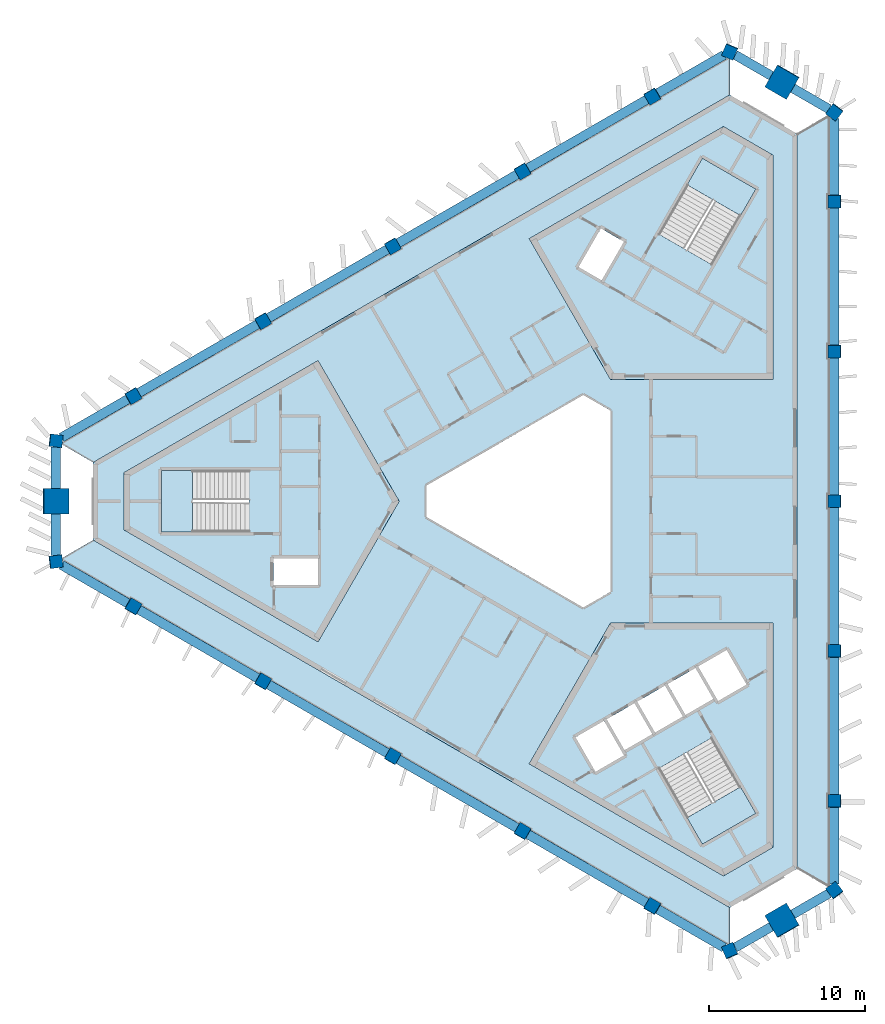
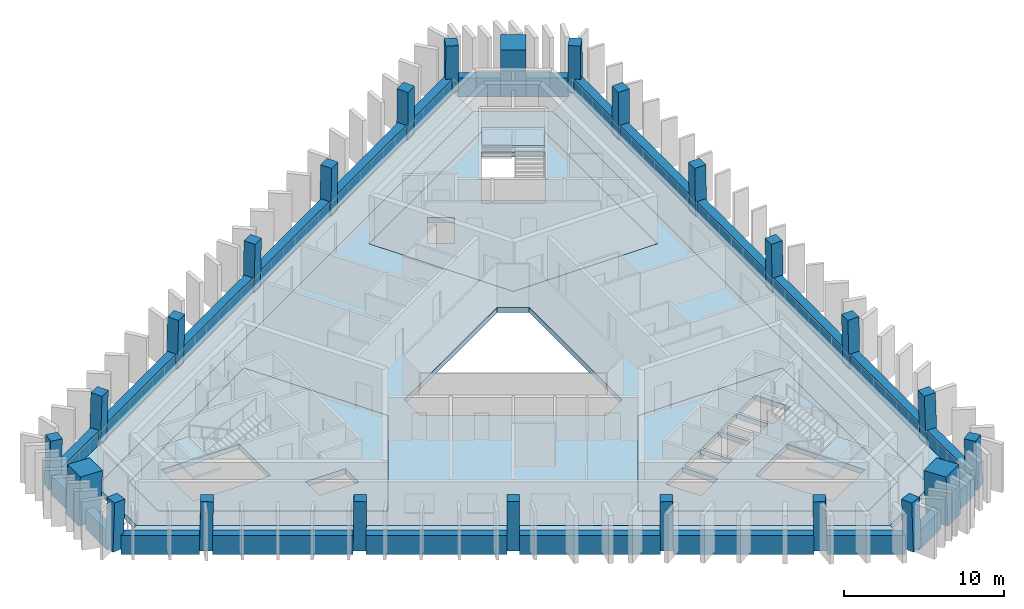
# One storey, part 1 of 9: 24 beams, 24 columns, 10 slabs, 3 elements without a shape of their own.
"""IFC4 building model written with IfcOpenShell, lengths in metres."""

from ifc_helpers import new_model, si_unit, direction, frame, origin, origin_2d, place, context, subcontext, project, spatial, polyline, rectangle, outline, extrude, material, layer, layer_set, material_profile, profile_set, type_object, element, aggregate, save


model = new_model("IFC4")

# Units and contexts
model_context = context("Model", 3, precision=1e-05, world=origin(), true_north=direction((0.0, 1.0)))
body_context = subcontext(model_context, "Body", "Model", "MODEL_VIEW")
ifc_project = project(units=[si_unit("LENGTHUNIT", "METRE"), si_unit("AREAUNIT", "SQUARE_METRE"), si_unit("VOLUMEUNIT", "CUBIC_METRE"), si_unit("PLANEANGLEUNIT", "RADIAN"), si_unit("MASSUNIT", "GRAM", prefix="KILO")], contexts=[model_context])

# Site, building, storey
site_placement = place(None, origin())
site = spatial("IfcSite", under=ifc_project, at=site_placement, CompositionType="ELEMENT")
building_placement = place(site_placement, origin())
building = spatial("IfcBuilding", under=site, at=building_placement, Name="Jabali Bay Hotel Tower and Convention Centre", CompositionType="ELEMENT")
storey_placement = place(building_placement, frame((0.0, 0.0, 288.60009765625)))
storey = spatial("IfcBuildingStorey", under=building, at=storey_placement, Name="L71", CompositionType="ELEMENT", Elevation=288.60009765625)

# Columns
ifc_material_1 = material(Name="Concrete C60", Category="concrete")
ifc_material_profile_1 = material_profile(ifc_material_1, rectangle(XDim=0.800048828125, YDim=0.800048828125, at=origin_2d()), Name="Frame column 800")
ifc_profile_set_1 = profile_set([ifc_material_profile_1], Name="Concrete C60")
column_type_1 = type_object("IfcColumnType", Name="Frame column 800", PredefinedType="COLUMN", material=ifc_profile_set_1)
column_1_placement = place(storey_placement, frame((82.18212890625, 105.888671875, 0.0), z_axis=(-0.008376454378, -0.028163354484, 0.999568237028), x_axis=(0.86585218107, 0.499844611273, 0.021339285781)))
element("IfcColumn", 1, at=column_1_placement, inside=storey, type_object=column_type_1, Name="FC6 F1.1 L71", PredefinedType="COLUMN", context=body_context, shape_type="SweptSolid", body=[
    extrude(rectangle(XDim=0.800048828125, YDim=0.800048828125, at=origin_2d()), origin(), (0.0, 0.0, 1.0), 3.70166015625),
])
column_2_placement = place(storey_placement, frame((73.8837890625, 101.09765625, 0.0), z_axis=(0.000857578916, -0.022824792675, 0.999739112668), x_axis=(0.866060219769, 0.499825848733, 0.01066848966)))
element("IfcColumn", 2, at=column_2_placement, inside=storey, type_object=column_type_1, Name="FC6 F1.2 L71", PredefinedType="COLUMN", context=body_context, shape_type="SweptSolid", body=[
    extrude(rectangle(XDim=0.800048828125, YDim=0.800048828125, at=origin_2d()), origin(), (0.0, 0.0, 1.0), 3.700927734375),
])
column_3_placement = place(storey_placement, frame((65.58544921875, 96.306396484375, 0.0), z_axis=(0.010093620709, -0.017482414954, 0.999796221231), x_axis=(0.86601685016, 0.500014815019, 2.20911e-07)))
element("IfcColumn", 3, at=column_3_placement, inside=storey, type_object=column_type_1, Name="FC6 F1.3 L71", PredefinedType="COLUMN", context=body_context, shape_type="SweptSolid", body=[
    extrude(rectangle(XDim=0.800048828125, YDim=0.800048828125, at=origin_2d()), origin(), (0.0, 0.0, 1.0), 3.70068359375),
])
column_4_placement = place(storey_placement, frame((57.287109375, 91.515380859375, 0.0), z_axis=(0.019328516974, -0.012138044789, 0.999739504221), x_axis=(-0.500205614953, 0.865671455024, 0.020181048691)))
element("IfcColumn", 4, at=column_4_placement, inside=storey, type_object=column_type_1, Name="FC6 F1.4 L71", PredefinedType="COLUMN", context=body_context, shape_type="SweptSolid", body=[
    extrude(rectangle(XDim=0.800048828125, YDim=0.800048828125, at=origin_2d()), origin(), (0.0, 0.0, 1.0), 3.700927734375),
])
for number, where, z_axis, x_axis, name in (
    (5, (48.988525390625, 86.724365234375, 0.0), (0.02855911485, -0.006793507689, 0.999569019734), (-0.500407643461, 0.865554709988, 0.020180049142), "FC6 F1.5 L71"),
    (6, (48.988525390625, 73.275634765625, 0.0), (0.02855911485, 0.006793507689, 0.999569019734), (-0.865318766308, 0.500768301983, 0.021319953197), "FC6 F2.1 L71"),
):
    element("IfcColumn", number, at=place(storey_placement, frame(where, z_axis=z_axis, x_axis=x_axis)), inside=storey, type_object=column_type_1, Name=name, PredefinedType="COLUMN", context=body_context, shape_type="SweptSolid", body=[
        extrude(rectangle(XDim=0.800048828125, YDim=0.800048828125, at=origin_2d()), origin(), (0.0, 0.0, 1.0), 3.70166015625),
    ])
column_5_placement = place(storey_placement, frame((57.287109375, 68.484619140625, 0.0), z_axis=(0.019328516974, 0.012138044789, 0.999739504221), x_axis=(-0.865690909737, 0.500465383244, 0.010660627254)))
element("IfcColumn", 7, at=column_5_placement, inside=storey, type_object=column_type_1, Name="FC6 F2.2 L71", PredefinedType="COLUMN", context=body_context, shape_type="SweptSolid", body=[
    extrude(rectangle(XDim=0.800048828125, YDim=0.800048828125, at=origin_2d()), origin(), (0.0, 0.0, 1.0), 3.700927734375),
])
column_6_placement = place(storey_placement, frame((65.58544921875, 63.693603515625, 0.0), z_axis=(0.010093620709, 0.017482414954, 0.999796221231), x_axis=(-0.499912926478, -0.865840372083, 0.020187025823)))
element("IfcColumn", 8, at=column_6_placement, inside=storey, type_object=column_type_1, Name="FC6 F2.3 L71", PredefinedType="COLUMN", context=body_context, shape_type="SweptSolid", body=[
    extrude(rectangle(XDim=0.800048828125, YDim=0.800048828125, at=origin_2d()), origin(), (0.0, 0.0, 1.0), 3.70068359375),
])
column_7_placement = place(storey_placement, frame((73.8837890625, 58.90234375, 0.0), z_axis=(0.000857578916, 0.022824792675, 0.999739112668), x_axis=(-0.499938956565, -0.865825126557, 0.020196285069)))
element("IfcColumn", 9, at=column_7_placement, inside=storey, type_object=column_type_1, Name="FC6 F2.4 L71", PredefinedType="COLUMN", context=body_context, shape_type="SweptSolid", body=[
    extrude(rectangle(XDim=0.800048828125, YDim=0.800048828125, at=origin_2d()), origin(), (0.0, 0.0, 1.0), 3.700927734375),
])
for number, where, z_axis, x_axis, name in (
    (10, (82.18212890625, 54.111328125, 0.0), (-0.008376454378, 0.028163354484, 0.999568237028), (-0.500229782748, -0.865657085713, 0.020198376324), "FC6 F2.5 L71"),
    (11, (93.8291015625, 60.835693359375, 0.0), (-0.020182659751, 0.021303918626, 0.999569308901), (0.000228267203, -0.99977282903, 0.021312865295), "FC6 F0.1 L71"),
):
    element("IfcColumn", number, at=place(storey_placement, frame(where, z_axis=z_axis, x_axis=x_axis)), inside=storey, type_object=column_type_1, Name=name, PredefinedType="COLUMN", context=body_context, shape_type="SweptSolid", body=[
        extrude(rectangle(XDim=0.800048828125, YDim=0.800048828125, at=origin_2d()), origin(), (0.0, 0.0, 1.0), 3.70166015625),
    ])
column_8_placement = place(storey_placement, frame((93.8291015625, 70.417724609375, 0.0), z_axis=(-0.020186088539, 0.010686752756, 0.999739123544), x_axis=(-0.001023376713, -0.999942568771, 0.010668264128)))
element("IfcColumn", 12, at=column_8_placement, inside=storey, type_object=column_type_1, Name="FC6 F0.2 L71", PredefinedType="COLUMN", context=body_context, shape_type="SweptSolid", body=[
    extrude(rectangle(XDim=0.800048828125, YDim=0.800048828125, at=origin_2d()), origin(), (0.0, 0.0, 1.0), 3.700927734375),
])
column_9_placement = place(storey_placement, frame((93.8291015625, 80.0, 0.0), z_axis=(-0.020187241331, 0.0, 0.99979621688), x_axis=(0.0, -1.0, 0.0)))
element("IfcColumn", 13, at=column_9_placement, inside=storey, type_object=column_type_1, Name="FC6 F0.3 L71", PredefinedType="COLUMN", context=body_context, shape_type="SweptSolid", body=[
    extrude(rectangle(XDim=0.800048828125, YDim=0.800048828125, at=origin_2d()), origin(), (0.0, 0.0, 1.0), 3.70068359375),
])
column_10_placement = place(storey_placement, frame((93.8291015625, 89.582275390625, 0.0), z_axis=(-0.020186088539, -0.010686752756, 0.999739123544), x_axis=(0.999795716399, 0.000807759214, 0.020195865801)))
element("IfcColumn", 14, at=column_10_placement, inside=storey, type_object=column_type_1, Name="FC6 F0.4 L71", PredefinedType="COLUMN", context=body_context, shape_type="SweptSolid", body=[
    extrude(rectangle(XDim=0.800048828125, YDim=0.800048828125, at=origin_2d()), origin(), (0.0, 0.0, 1.0), 3.700927734375),
])
column_11_placement = place(storey_placement, frame((93.8291015625, 99.164306640625, 0.0), z_axis=(-0.020182659751, -0.021303918626, 0.999569308901), x_axis=(0.999796283319, -0.000658319199, 0.020173211851)))
element("IfcColumn", 15, at=column_11_placement, inside=storey, type_object=column_type_1, Name="FC6 F0.5 L71", PredefinedType="COLUMN", context=body_context, shape_type="SweptSolid", body=[
    extrude(rectangle(XDim=0.800048828125, YDim=0.800048828125, at=origin_2d()), origin(), (0.0, 0.0, 1.0), 3.70166015625),
])
for number, where, z_axis, x_axis, name in (
    (16, (93.8291015625, 55.1201171875, 0.0), (-0.020178741915, 0.029015184452, 0.999375273581), (-0.797499887954, -0.6033174373, 0.00141370549), "FC6 V0 L71"),
    (17, (93.8291015625, 104.8798828125, 0.0), (-0.020178741915, -0.029015184452, 0.999375273581), (0.602981547884, 0.796973141907, 0.03531379321), "FC6 V1 L71"),
    (18, (87.132080078125, 108.74658203125, 0.0), (-0.015035141917, -0.031982648376, 0.99937533225), (0.92127061326, -0.388919604507, 0.001413638511), "FC6 V2 L71"),
    (19, (44.038818359375, 83.866455078125, 0.0), (0.03521388716, -0.002967462401, 0.999375393092), (-0.991689546457, 0.12371345164, 0.035310413931), "FC6 V3 L71"),
    (20, (44.038818359375, 76.133544921875, 0.0), (0.03521388716, 0.002967462401, 0.999375393092), (-0.123740961689, 0.992313547247, 0.001413630084), "FC6 V4 L71"),
    (21, (87.132080078125, 51.25341796875, 0.0), (-0.015035141917, 0.031982648376, 0.99937533225), (0.388631447069, -0.920716379475, 0.035312135531), "FC6 V5 L71"),
):
    element("IfcColumn", number, at=place(storey_placement, frame(where, z_axis=z_axis, x_axis=x_axis)), inside=storey, type_object=column_type_1, Name=name, PredefinedType="COLUMN", context=body_context, shape_type="SweptSolid", body=[
        extrude(rectangle(XDim=0.800048828125, YDim=0.800048828125, at=origin_2d()), origin(), (0.0, 0.0, 1.0), 3.7021484375),
    ])
ifc_material_2 = material(Name="Concrete C70", Category="concrete")
ifc_material_profile_2 = material_profile(ifc_material_2, rectangle(XDim=1.60009765625, YDim=1.60009765625, at=origin_2d()), Name="Mega column 1600")
ifc_profile_set_2 = profile_set([ifc_material_profile_2], Name="Concrete C70")
column_type_2 = type_object("IfcColumnType", Name="Mega column 1600", PredefinedType="COLUMN", material=ifc_profile_set_2)
for number, where, z_axis, x_axis, name in (
    (22, (90.480712890625, 106.813232421875, 0.0), (-0.017607037296, -0.030466109479, 0.999380712447), (0.86581098392, -0.500371202332, 2.457e-09), "MC6 M1 L71"),
    (23, (44.038818359375, 80.0, 0.0), (0.035214042205, 0.0, 0.999379793288), (0.0, 1.0, 0.0), "MC6 M0 L71"),
    (24, (90.480712890625, 53.186767578125, 0.0), (-0.017607037296, 0.030466109479, 0.999380712447), (0.500061328599, -0.865274797998, 0.035187946645), "MC6 M2 L71"),
):
    element("IfcColumn", number, at=place(storey_placement, frame(where, z_axis=z_axis, x_axis=x_axis)), inside=storey, type_object=column_type_2, Name=name, PredefinedType="COLUMN", context=body_context, shape_type="SweptSolid", body=[
        extrude(rectangle(XDim=1.60009765625, YDim=1.60009765625, at=origin_2d()), origin(), (0.0, 0.0, 1.0), 3.7021484375),
    ])

# Beams
ifc_material_profile_3 = material_profile(ifc_material_1, rectangle(XDim=0.60009765625, YDim=1.449951171875, at=origin_2d()), Name="Spandrel 600x1450")
ifc_profile_set_3 = profile_set([ifc_material_profile_3], Name="Concrete C60")
beam_type = type_object("IfcBeamType", Name="Spandrel 600x1450", PredefinedType="SPANDREL", material=ifc_profile_set_3)
beam_1_placement = place(storey_placement, frame((89.78125, 107.20166015625, 0.375), z_axis=(-0.866019327422, 0.500010524421, 0.0), x_axis=(-0.500010524421, -0.866019327422, 0.0)))
element("IfcBeam", 25, at=beam_1_placement, inside=storey, type_object=beam_type, Name="Spandrel M1-V2 L71", PredefinedType="SPANDREL", context=body_context, shape_type="SweptSolid", body=[
    extrude(rectangle(XDim=0.60009765625, YDim=1.449951171875, at=origin_2d()), origin(), (0.0, 0.0, 1.0), 2.66552734375),
])
beam_2_placement = place(storey_placement, frame((86.780029296875, 108.534423828125, 0.375), z_axis=(-0.866035800115, -0.499981992595, 0.0), x_axis=(0.499981992595, -0.866035800115, 0.0)))
element("IfcBeam", 26, at=beam_2_placement, inside=storey, type_object=beam_type, Name="Spandrel V2-F1.1 L71", PredefinedType="SPANDREL", context=body_context, shape_type="SweptSolid", body=[
    extrude(rectangle(XDim=0.60009765625, YDim=1.449951171875, at=origin_2d()), origin(), (0.0, 0.0, 1.0), 4.912841796875),
])
for number, where, z_axis, x_axis, name in (
    (27, (81.832763671875, 105.67822265625, 0.375), (-0.866026728878, -0.499997704864, 0.0), (0.499997704864, -0.866026728878, 0.0), "Spandrel F1.1-F1.2 L71"),
    (28, (73.537841796875, 100.888916015625, 0.375), (-0.866038771551, -0.499976845633, 0.0), (0.499976845633, -0.866038771551, 0.0), "Spandrel F1.2-F1.3 L71"),
    (29, (65.242919921875, 96.099853515625, 0.375), (-0.866038771551, -0.499976845633, 0.0), (0.499976845633, -0.866038771551, 0.0), "Spandrel F1.3-F1.4 L71"),
):
    element("IfcBeam", number, at=place(storey_placement, frame(where, z_axis=z_axis, x_axis=x_axis)), inside=storey, type_object=beam_type, Name=name, PredefinedType="SPANDREL", context=body_context, shape_type="SweptSolid", body=[
        extrude(rectangle(XDim=0.60009765625, YDim=1.449951171875, at=origin_2d()), origin(), (0.0, 0.0, 1.0), 8.7783203125),
    ])
beam_3_placement = place(storey_placement, frame((56.94775390625, 91.310791015625, 0.375), z_axis=(-0.866031818937, -0.499988888465, 0.0), x_axis=(0.499988888465, -0.866031818937, 0.0)))
element("IfcBeam", 30, at=beam_3_placement, inside=storey, type_object=beam_type, Name="Spandrel F1.4-F1.5 L71", PredefinedType="SPANDREL", context=body_context, shape_type="SweptSolid", body=[
    extrude(rectangle(XDim=0.60009765625, YDim=1.449951171875, at=origin_2d()), origin(), (0.0, 0.0, 1.0), 8.778076171875),
])
beam_4_placement = place(storey_placement, frame((48.65283203125, 86.521728515625, 0.375), z_axis=(-0.866023376443, -0.500003511442, 0.0), x_axis=(0.500003511442, -0.866023376443, 0.0)))
element("IfcBeam", 31, at=beam_4_placement, inside=storey, type_object=beam_type, Name="Spandrel F1.5-V3 L71", PredefinedType="SPANDREL", context=body_context, shape_type="SweptSolid", body=[
    extrude(rectangle(XDim=0.60009765625, YDim=1.449951171875, at=origin_2d()), origin(), (0.0, 0.0, 1.0), 4.91259765625),
])
for number, where, z_axis, x_axis, name in (
    (32, (44.052001953125, 83.46533203125, 0.375), (0.0, -1.0, 0.0), (1.0, 0.0, 0.0), "Spandrel V3-M0 L71"),
    (33, (44.052001953125, 79.199951171875, 0.375), (0.0, -1.0, 0.0), (1.0, 0.0, 0.0), "Spandrel M0-V4 L71"),
):
    element("IfcBeam", number, at=place(storey_placement, frame(where, z_axis=z_axis, x_axis=x_axis)), inside=storey, type_object=beam_type, Name=name, PredefinedType="SPANDREL", context=body_context, shape_type="SweptSolid", body=[
        extrude(rectangle(XDim=0.60009765625, YDim=1.449951171875, at=origin_2d()), origin(), (0.0, 0.0, 1.0), 2.665283203125),
    ])
beam_5_placement = place(storey_placement, frame((44.3984375, 75.9345703125, 0.375), z_axis=(0.866023376443, -0.500003511442, 0.0), x_axis=(0.500003511442, 0.866023376443, 0.0)))
element("IfcBeam", 34, at=beam_5_placement, inside=storey, type_object=beam_type, Name="Spandrel V4-F2.1 L71", PredefinedType="SPANDREL", context=body_context, shape_type="SweptSolid", body=[
    extrude(rectangle(XDim=0.60009765625, YDim=1.449951171875, at=origin_2d()), origin(), (0.0, 0.0, 1.0), 4.91259765625),
])
beam_6_placement = place(storey_placement, frame((49.345703125, 73.078125, 0.375), z_axis=(0.866031818937, -0.499988888465, 0.0), x_axis=(0.499988888465, 0.866031818937, 0.0)))
element("IfcBeam", 35, at=beam_6_placement, inside=storey, type_object=beam_type, Name="Spandrel F2.1-F2.2 L71", PredefinedType="SPANDREL", context=body_context, shape_type="SweptSolid", body=[
    extrude(rectangle(XDim=0.60009765625, YDim=1.449951171875, at=origin_2d()), origin(), (0.0, 0.0, 1.0), 8.778076171875),
])
for number, where, z_axis, x_axis, name in (
    (36, (57.640625, 68.2890625, 0.375), (0.866038771551, -0.499976845633, 0.0), (0.499976845633, 0.866038771551, 0.0), "Spandrel F2.2-F2.3 L71"),
    (37, (65.935546875, 63.5, 0.375), (0.866038771551, -0.499976845633, 0.0), (0.499976845633, 0.866038771551, 0.0), "Spandrel F2.3-F2.4 L71"),
    (38, (74.23046875, 58.7109375, 0.375), (0.866026728878, -0.499997704864, 0.0), (0.499997704864, 0.866026728878, 0.0), "Spandrel F2.4-F2.5 L71"),
):
    element("IfcBeam", number, at=place(storey_placement, frame(where, z_axis=z_axis, x_axis=x_axis)), inside=storey, type_object=beam_type, Name=name, PredefinedType="SPANDREL", context=body_context, shape_type="SweptSolid", body=[
        extrude(rectangle(XDim=0.60009765625, YDim=1.449951171875, at=origin_2d()), origin(), (0.0, 0.0, 1.0), 8.7783203125),
    ])
beam_7_placement = place(storey_placement, frame((82.525390625, 53.921875, 0.375), z_axis=(0.866035800115, -0.499981992595, 0.0), x_axis=(0.499981992595, 0.866035800115, 0.0)))
element("IfcBeam", 39, at=beam_7_placement, inside=storey, type_object=beam_type, Name="Spandrel F2.5-V5 L71", PredefinedType="SPANDREL", context=body_context, shape_type="SweptSolid", body=[
    extrude(rectangle(XDim=0.60009765625, YDim=1.449951171875, at=origin_2d()), origin(), (0.0, 0.0, 1.0), 4.912841796875),
])
for number, where, z_axis, x_axis, name in (
    (40, (87.472900390625, 51.465576171875, 0.375), (0.866019327422, 0.500010524421, 0.0), (-0.500010524421, 0.866019327422, 0.0), "Spandrel V5-M2 L71"),
    (41, (91.166748046875, 53.59814453125, 0.375), (0.866019327422, 0.500010524421, 0.0), (-0.500010524421, 0.866019327422, 0.0), "Spandrel M2-V0 L71"),
):
    element("IfcBeam", number, at=place(storey_placement, frame(where, z_axis=z_axis, x_axis=x_axis)), inside=storey, type_object=beam_type, Name=name, PredefinedType="SPANDREL", context=body_context, shape_type="SweptSolid", body=[
        extrude(rectangle(XDim=0.60009765625, YDim=1.449951171875, at=origin_2d()), origin(), (0.0, 0.0, 1.0), 2.66552734375),
    ])
beam_8_placement = place(storey_placement, frame((93.821533203125, 55.531005859375, 0.375), z_axis=(0.0, 1.0, 0.0), x_axis=(-1.0, 0.0, 0.0)))
element("IfcBeam", 42, at=beam_8_placement, inside=storey, type_object=beam_type, Name="Spandrel V0-F0.1 L71", PredefinedType="SPANDREL", context=body_context, shape_type="SweptSolid", body=[
    extrude(rectangle(XDim=0.60009765625, YDim=1.449951171875, at=origin_2d()), origin(), (0.0, 0.0, 1.0), 4.91259765625),
])
beam_9_placement = place(storey_placement, frame((93.821533203125, 61.24365234375, 0.375), z_axis=(0.0, 1.0, 0.0), x_axis=(-1.0, 0.0, 0.0)))
element("IfcBeam", 43, at=beam_9_placement, inside=storey, type_object=beam_type, Name="Spandrel F0.1-F0.2 L71", PredefinedType="SPANDREL", context=body_context, shape_type="SweptSolid", body=[
    extrude(rectangle(XDim=0.60009765625, YDim=1.449951171875, at=origin_2d()), origin(), (0.0, 0.0, 1.0), 8.778076171875),
])
for number, where, z_axis, x_axis, name in (
    (44, (93.821533203125, 70.82177734375, 0.375), (0.0, 1.0, 0.0), (-1.0, 0.0, 0.0), "Spandrel F0.2-F0.3 L71"),
    (45, (93.821533203125, 80.39990234375, 0.375), (0.0, 1.0, 0.0), (-1.0, 0.0, 0.0), "Spandrel F0.3-F0.4 L71"),
):
    element("IfcBeam", number, at=place(storey_placement, frame(where, z_axis=z_axis, x_axis=x_axis)), inside=storey, type_object=beam_type, Name=name, PredefinedType="SPANDREL", context=body_context, shape_type="SweptSolid", body=[
        extrude(rectangle(XDim=0.60009765625, YDim=1.449951171875, at=origin_2d()), origin(), (0.0, 0.0, 1.0), 8.7783203125),
    ])
beam_10_placement = place(storey_placement, frame((93.821533203125, 89.978271484375, 0.375), z_axis=(0.0, 1.0, 0.0), x_axis=(-1.0, 0.0, 0.0)))
element("IfcBeam", 46, at=beam_10_placement, inside=storey, type_object=beam_type, Name="Spandrel F0.4-F0.5 L71", PredefinedType="SPANDREL", context=body_context, shape_type="SweptSolid", body=[
    extrude(rectangle(XDim=0.60009765625, YDim=1.449951171875, at=origin_2d()), origin(), (0.0, 0.0, 1.0), 8.778076171875),
])
beam_11_placement = place(storey_placement, frame((93.821533203125, 99.556396484375, 0.375), z_axis=(0.0, 1.0, 0.0), x_axis=(-1.0, 0.0, 0.0)))
element("IfcBeam", 47, at=beam_11_placement, inside=storey, type_object=beam_type, Name="Spandrel F0.5-V1 L71", PredefinedType="SPANDREL", context=body_context, shape_type="SweptSolid", body=[
    extrude(rectangle(XDim=0.60009765625, YDim=1.449951171875, at=origin_2d()), origin(), (0.0, 0.0, 1.0), 4.91259765625),
])
beam_12_placement = place(storey_placement, frame((93.47509765625, 105.069091796875, 0.375), z_axis=(-0.866019327422, 0.500010524421, 0.0), x_axis=(-0.500010524421, -0.866019327422, 0.0)))
element("IfcBeam", 48, at=beam_12_placement, inside=storey, type_object=beam_type, Name="Spandrel V1-M1 L71", PredefinedType="SPANDREL", context=body_context, shape_type="SweptSolid", body=[
    extrude(rectangle(XDim=0.60009765625, YDim=1.449951171875, at=origin_2d()), origin(), (0.0, 0.0, 1.0), 2.66552734375),
])

# Slabs
ifc_material_3 = material(Name="Concrete C40", Category="concrete")
ifc_layer_1 = layer(ifc_material_3, 0.39990234375)
ifc_layer_set_1 = layer_set([ifc_layer_1], Name="Concrete C40")
slab_type_1 = type_object("IfcSlabType", Name="Core floor slab 400", PredefinedType="FLOOR", material=ifc_layer_set_1)
slab_1_placement = place(storey_placement, frame((0.0, 0.0, -0.400146484375)))
element("IfcSlab", 49, at=slab_1_placement, inside=storey, type_object=slab_type_1, Name="Core floor slab 1 L71", PredefinedType="FLOOR", context=body_context, shape_type="SweptSolid", body=[
    extrude(outline(polyline([(66.0, 80.0), (60.81005859375, 88.9892578125), (48.39697265625, 81.82275390625), (48.39697265625, 78.17724609375), (60.81005859375, 71.0107421875), (66.0, 80.0)]), holes=[polyline([(60.800048828125, 76.35009765625), (57.949951171875, 76.35009765625), (57.949951171875, 74.64990234375), (60.800048828125, 74.64990234375), (60.800048828125, 76.35009765625)]), polyline([(50.820068359375, 81.97509765625), (50.820068359375, 78.02490234375), (56.409912109375, 78.02490234375), (56.409912109375, 81.97509765625), (50.820068359375, 81.97509765625)])]), origin(), (0.0, 0.0, 1.0), 0.400146484375),
])
slab_2_placement = place(storey_placement, frame((0.0, 0.0, -0.400146484375)))
element("IfcSlab", 50, at=slab_2_placement, inside=storey, type_object=slab_type_1, Name="Core floor slab 2 L71", PredefinedType="FLOOR", context=body_context, shape_type="SweptSolid", body=[
    extrude(outline(polyline([(79.5, 87.794189453125), (89.8798828125, 87.794189453125), (89.8798828125, 102.127685546875), (86.72314453125, 103.9501953125), (74.31005859375, 96.78369140625), (79.5, 87.794189453125)]), holes=[polyline([(78.93896484375, 94.12255859375), (80.364013671875, 96.5908203125), (78.891845703125, 97.440673828125), (77.466796875, 94.97265625), (78.93896484375, 94.12255859375)]), polyline([(88.80029296875, 99.952880859375), (85.379638671875, 101.927978515625), (82.584716796875, 97.0869140625), (86.00537109375, 95.11181640625), (88.80029296875, 99.952880859375)])]), origin(), (0.0, 0.0, 1.0), 0.400146484375),
])
slab_3_placement = place(storey_placement, frame((0.0, 0.0, -0.400146484375)))
element("IfcSlab", 51, at=slab_3_placement, inside=storey, type_object=slab_type_1, Name="Core floor slab 3 L71", PredefinedType="FLOOR", context=body_context, shape_type="SweptSolid", body=[
    extrude(outline(polyline([(79.5, 72.205810546875), (74.31005859375, 63.21630859375), (86.72314453125, 56.0498046875), (89.8798828125, 57.872314453125), (89.8798828125, 72.205810546875), (79.5, 72.205810546875)]), holes=[polyline([(82.584716796875, 62.9130859375), (85.379638671875, 58.072021484375), (88.80029296875, 60.047119140625), (86.00537109375, 64.88818359375), (82.584716796875, 62.9130859375)]), polyline([(80.365478515625, 63.756591796875), (79.090576171875, 65.96484375), (77.27197265625, 64.9150390625), (78.546875, 62.70654296875), (80.365478515625, 63.756591796875)]), polyline([(82.17919921875, 65.115478515625), (81.0390625, 67.08984375), (79.263671875, 66.06494140625), (80.40380859375, 64.09033203125), (82.17919921875, 65.115478515625)]), polyline([(82.98779296875, 68.21484375), (81.21240234375, 67.18994140625), (82.352294921875, 65.21533203125), (84.127685546875, 66.240478515625), (82.98779296875, 68.21484375)]), polyline([(86.076171875, 67.365478515625), (84.936279296875, 69.33984375), (83.160888671875, 68.31494140625), (84.30078125, 66.34033203125), (86.076171875, 67.365478515625)]), polyline([(88.203125, 68.281494140625), (86.927978515625, 70.489990234375), (85.109375, 69.43994140625), (86.384521484375, 67.231689453125), (88.203125, 68.281494140625)])]), origin(), (0.0, 0.0, 1.0), 0.400146484375),
])
ifc_layer_2 = layer(ifc_material_3, 0.199951171875)
ifc_layer_set_2 = layer_set([ifc_layer_2], Name="Concrete C40")
slab_type_2 = type_object("IfcSlabType", Name="Loggia slab 200", PredefinedType="FLOOR", material=ifc_layer_set_2)
slab_4_placement = place(storey_placement, frame((0.0, 0.0, -0.2001953125)))
element("IfcSlab", 52, at=slab_4_placement, inside=storey, type_object=slab_type_2, Name="Loggia slab east face L71", PredefinedType="FLOOR", context=body_context, shape_type="SweptSolid", body=[
    extrude(outline(polyline([(91.42919921875, 103.494384765625), (93.453125, 104.662841796875), (93.529052734375, 104.60546875), (93.529052734375, 99.564208984375), (93.42919921875, 99.564208984375), (93.42919921875, 98.764404296875), (93.529052734375, 98.764404296875), (93.529052734375, 89.982177734375), (93.42919921875, 89.982177734375), (93.42919921875, 89.18212890625), (93.529052734375, 89.18212890625), (93.529052734375, 80.39990234375), (93.42919921875, 80.39990234375), (93.42919921875, 79.60009765625), (93.529052734375, 79.60009765625), (93.529052734375, 70.81787109375), (93.42919921875, 70.81787109375), (93.42919921875, 70.017822265625), (93.529052734375, 70.017822265625), (93.529052734375, 61.235595703125), (93.42919921875, 61.235595703125), (93.42919921875, 60.435791015625), (93.529052734375, 60.435791015625), (93.529052734375, 55.39453125), (93.453125, 55.337158203125), (91.42919921875, 56.505615234375), (91.42919921875, 103.494384765625)])), origin(), (0.0, 0.0, 1.0), 0.2001953125),
])
slab_5_placement = place(storey_placement, frame((0.0, 0.0, -0.2001953125)))
element("IfcSlab", 53, at=slab_5_placement, inside=storey, type_object=slab_type_2, Name="Loggia slab north-west face L71", PredefinedType="FLOOR", context=body_context, shape_type="SweptSolid", body=[
    extrude(outline(polyline([(46.438720703125, 82.48095703125), (44.414794921875, 83.6494140625), (44.426513671875, 83.744140625), (48.792236328125, 86.2646484375), (48.84228515625, 86.177978515625), (49.53515625, 86.577880859375), (49.485107421875, 86.66455078125), (57.090576171875, 91.0556640625), (57.140625, 90.968994140625), (57.83349609375, 91.369140625), (57.783447265625, 91.45556640625), (65.388916015625, 95.8466796875), (65.43896484375, 95.760009765625), (66.1318359375, 96.16015625), (66.081787109375, 96.246826171875), (73.6875, 100.6376953125), (73.7373046875, 100.55126953125), (74.43017578125, 100.951171875), (74.380126953125, 101.037841796875), (81.98583984375, 105.428955078125), (82.035888671875, 105.34228515625), (82.728515625, 105.7421875), (82.6787109375, 105.828857421875), (87.044189453125, 108.349365234375), (87.132080078125, 108.312255859375), (87.132080078125, 105.97509765625), (46.438720703125, 82.48095703125)])), origin(), (0.0, 0.0, 1.0), 0.2001953125),
])
slab_6_placement = place(storey_placement, frame((0.0, 0.0, -0.2001953125)))
element("IfcSlab", 54, at=slab_6_placement, inside=storey, type_object=slab_type_2, Name="Loggia slab south-west face L71", PredefinedType="FLOOR", context=body_context, shape_type="SweptSolid", body=[
    extrude(outline(polyline([(87.132080078125, 54.02490234375), (87.132080078125, 51.687744140625), (87.044189453125, 51.650634765625), (82.6787109375, 54.171142578125), (82.728515625, 54.2578125), (82.035888671875, 54.65771484375), (81.98583984375, 54.571044921875), (74.380126953125, 58.962158203125), (74.43017578125, 59.048828125), (73.7373046875, 59.44873046875), (73.6875, 59.3623046875), (66.081787109375, 63.753173828125), (66.1318359375, 63.83984375), (65.43896484375, 64.239990234375), (65.388916015625, 64.1533203125), (57.783447265625, 68.54443359375), (57.83349609375, 68.630859375), (57.140625, 69.031005859375), (57.090576171875, 68.9443359375), (49.485107421875, 73.33544921875), (49.53515625, 73.422119140625), (48.84228515625, 73.822021484375), (48.792236328125, 73.7353515625), (44.426513671875, 76.255859375), (44.414794921875, 76.3505859375), (46.438720703125, 77.51904296875), (87.132080078125, 54.02490234375)])), origin(), (0.0, 0.0, 1.0), 0.2001953125),
])
ifc_layer_3 = layer(ifc_material_3, 0.39990234375)
ifc_layer_set_3 = layer_set([ifc_layer_3], Name="Concrete C40")
slab_type_3 = type_object("IfcSlabType", Name="Post-tensioned flat slab 400", PredefinedType="FLOOR", material=ifc_layer_set_3)
slab_7_placement = place(storey_placement, frame((0.0, 0.0, -0.400146484375)))
element("IfcSlab", 55, at=slab_7_placement, inside=storey, type_object=slab_type_3, Name="Floor slab L71", PredefinedType="FLOOR", context=body_context, shape_type="SweptSolid", body=[
    extrude(outline(polyline([(87.132080078125, 105.97509765625), (91.42919921875, 103.494384765625), (91.42919921875, 56.505615234375), (87.132080078125, 54.02490234375), (46.438720703125, 77.51904296875), (46.438720703125, 82.48095703125), (87.132080078125, 105.97509765625)]), holes=[polyline([(67.73193359375, 79.0), (77.76806640625, 73.205810546875), (79.5, 74.205810546875), (79.5, 85.794189453125), (77.76806640625, 86.794189453125), (67.73193359375, 81.0), (67.73193359375, 79.0)]), polyline([(48.39697265625, 78.17724609375), (60.81005859375, 71.0107421875), (66.0, 80.0), (60.81005859375, 88.9892578125), (48.39697265625, 81.82275390625), (48.39697265625, 78.17724609375)]), polyline([(89.8798828125, 102.127685546875), (86.72314453125, 103.9501953125), (74.31005859375, 96.78369140625), (79.5, 87.794189453125), (89.8798828125, 87.794189453125), (89.8798828125, 102.127685546875)]), polyline([(74.31005859375, 63.21630859375), (86.72314453125, 56.0498046875), (89.8798828125, 57.872314453125), (89.8798828125, 72.205810546875), (79.5, 72.205810546875), (74.31005859375, 63.21630859375)])]), origin(), (0.0, 0.0, 1.0), 0.400146484375),
])

# Stair, slab
stair_type = type_object("IfcStairType", Name="Exit stair 1900", PredefinedType="HALF_TURN_STAIR", material=ifc_material_3)
stair_1_placement = place(storey_placement, origin())
stair_1 = element("IfcStair", 56, at=stair_1_placement, inside=storey, type_object=stair_type, Name="L71 Exit Stair 1", PredefinedType="HALF_TURN_STAIR")
ifc_layer_4 = layer(ifc_material_3, 0.199951171875)
ifc_layer_set_4 = layer_set([ifc_layer_4], Name="Concrete C40")
slab_type_4 = type_object("IfcSlabType", Name="Stair landing 200", PredefinedType="LANDING", material=ifc_layer_set_4)
slab_8_placement = place(storey_placement, frame((0.0, 0.0, 1.64990234375)))
slab_8 = element("IfcSlab", 57, at=slab_8_placement, type_object=slab_type_4, Name="ST1 landing 1", PredefinedType="LANDING", context=body_context, shape_type="SweptSolid", body=[
    extrude(outline(polyline([(52.782958984375, 81.97509765625), (50.820068359375, 81.97509765625), (50.820068359375, 78.02490234375), (52.782958984375, 78.02490234375), (52.782958984375, 81.97509765625)])), origin(), (0.0, 0.0, 1.0), 0.199951171875),
])
aggregate(stair_1, [slab_8])

stair_2_placement = place(storey_placement, origin())
stair_2 = element("IfcStair", 58, at=stair_2_placement, inside=storey, type_object=stair_type, Name="L71 Exit Stair 2", PredefinedType="HALF_TURN_STAIR")
slab_9_placement = place(storey_placement, frame((0.0, 0.0, 1.64990234375)))
slab_9 = element("IfcSlab", 59, at=slab_9_placement, type_object=slab_type_4, Name="ST2 landing 1", PredefinedType="LANDING", context=body_context, shape_type="SweptSolid", body=[
    extrude(outline(polyline([(87.81884765625, 98.2529296875), (88.80029296875, 99.952880859375), (85.379638671875, 101.927978515625), (84.398193359375, 100.22802734375), (87.81884765625, 98.2529296875)])), origin(), (0.0, 0.0, 1.0), 0.199951171875),
])
aggregate(stair_2, [slab_9])

stair_3_placement = place(storey_placement, origin())
stair_3 = element("IfcStair", 60, at=stair_3_placement, inside=storey, type_object=stair_type, Name="L71 Exit Stair 3", PredefinedType="HALF_TURN_STAIR")
slab_10_placement = place(storey_placement, frame((0.0, 0.0, 1.64990234375)))
slab_10 = element("IfcSlab", 61, at=slab_10_placement, type_object=slab_type_4, Name="ST3 landing 1", PredefinedType="LANDING", context=body_context, shape_type="SweptSolid", body=[
    extrude(outline(polyline([(84.398193359375, 59.77197265625), (85.379638671875, 58.072021484375), (88.80029296875, 60.047119140625), (87.81884765625, 61.7470703125), (84.398193359375, 59.77197265625)])), origin(), (0.0, 0.0, 1.0), 0.199951171875),
])
aggregate(stair_3, [slab_10])

save(model, "model.ifc")
